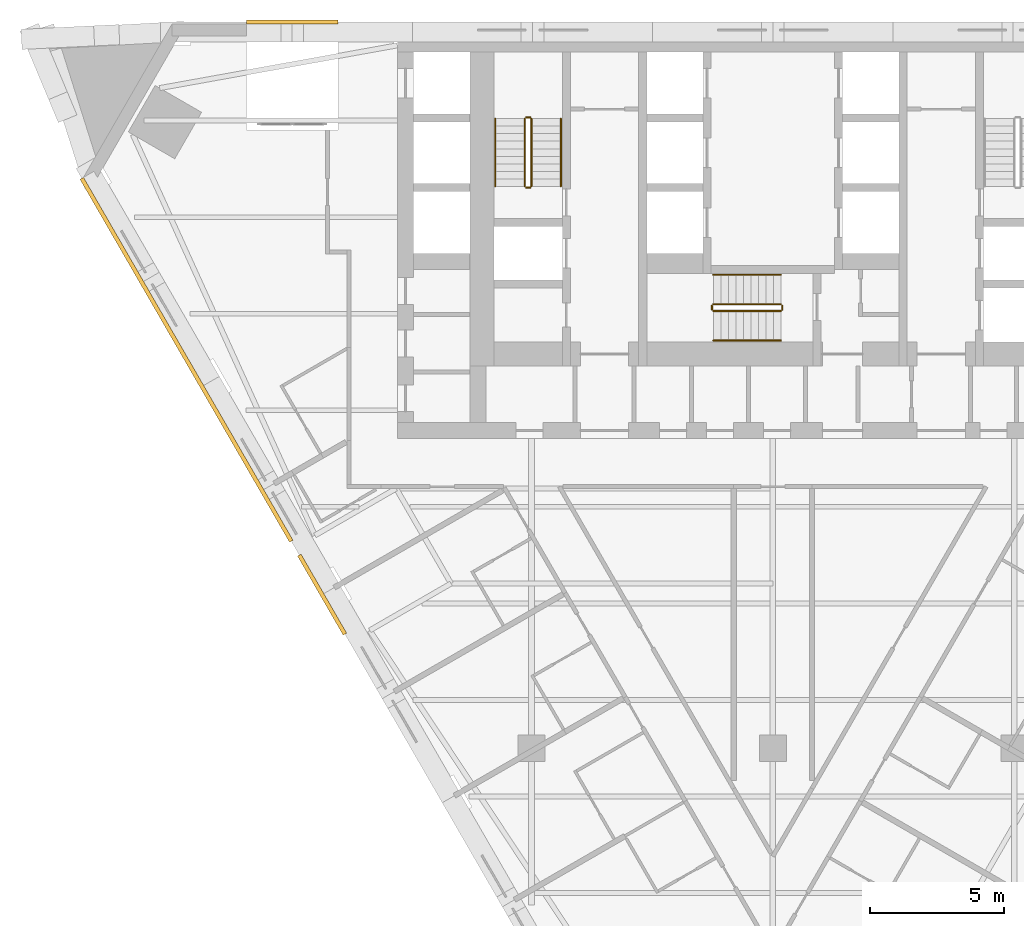
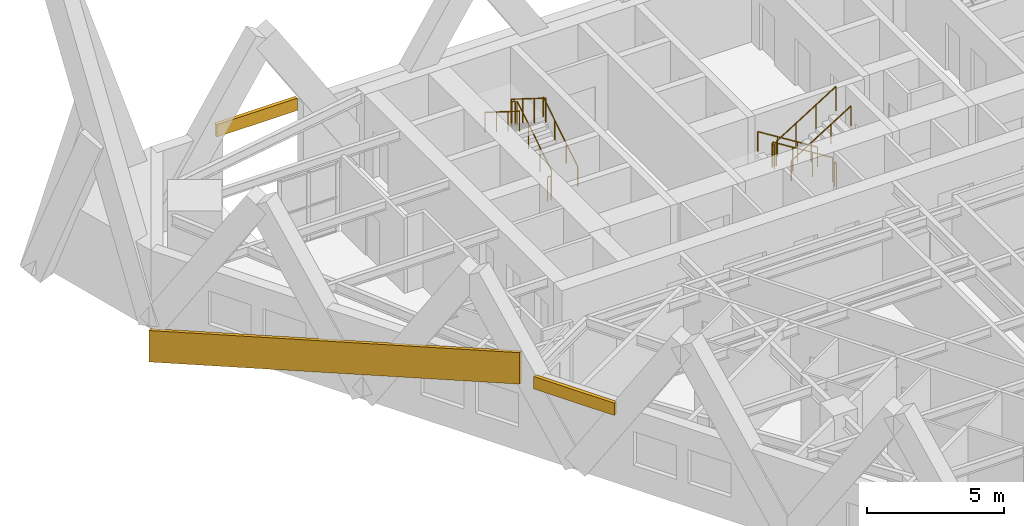
# One storey, part 10 of 11: 12 railings, 3 coverings.
"""IFC4 building model written with IfcOpenShell, lengths in metres."""

from ifc_helpers import new_model, si_unit, direction, frame, origin, origin_2d, place, context, subcontext, project, spatial, polyline, circle, outline, extrude, material, layer, layer_set, type_object, element, save


model = new_model("IFC4")

# Units and contexts
model_context = context("Model", 3, precision=1e-05, world=origin(), true_north=direction((0.0, 1.0)))
body_context = subcontext(model_context, "Body", "Model", "MODEL_VIEW")
ifc_project = project(units=[si_unit("LENGTHUNIT", "METRE"), si_unit("AREAUNIT", "SQUARE_METRE"), si_unit("VOLUMEUNIT", "CUBIC_METRE"), si_unit("PLANEANGLEUNIT", "RADIAN"), si_unit("MASSUNIT", "GRAM", prefix="KILO")], contexts=[model_context])

# Site, building, storey
site_placement = place(None, origin())
site = spatial("IfcSite", under=ifc_project, at=site_placement, CompositionType="ELEMENT")
building_placement = place(site_placement, origin())
building = spatial("IfcBuilding", under=site, at=building_placement, Name="Aloe Facet Convention Tower", CompositionType="ELEMENT")
storey_placement = place(building_placement, frame((0.0, 0.0, 49.0)))
storey = spatial("IfcBuildingStorey", under=building, at=storey_placement, Name="L10", CompositionType="ELEMENT", Elevation=49.0)

# Railings
ifc_material_1 = material(Name="Steel S355 balustrade", Category="steel")
railing_type_1 = type_object("IfcRailingType", Name="CR-RL-GUARD", PredefinedType="GUARDRAIL", material=ifc_material_1)
railing_1_placement = place(storey_placement, frame((71.0, 128.949951171875, 0.175048828125)))
element("IfcRailing", 1, at=railing_1_placement, inside=storey, type_object=railing_type_1, Name="L10 ST1 stair guard 1", PredefinedType="GUARDRAIL", context=body_context, shape_type="SweptSolid", body=[
    extrude(circle(Radius=0.02392578125, at=origin_2d()), frame((0.0, 0.0, 1.076171875), z_axis=(0.0, 0.848007534815, 0.529984170421), x_axis=(-1.0, 0.0, 0.0)), (0.0, 0.0, 1.0), 2.9716796875),
    extrude(circle(Radius=0.02099609375, at=origin_2d()), origin(), (0.0, 0.0, 1.0), 1.052001953125),
    extrude(circle(Radius=0.02099609375, at=origin_2d()), frame((0.0, 0.840087890625, 0.52490234375)), (0.0, 0.0, 1.0), 1.052001953125),
    extrude(circle(Radius=0.02099609375, at=origin_2d()), frame((0.0, 1.679931640625, 1.050048828125)), (0.0, 0.0, 1.0), 1.052001953125),
    extrude(circle(Radius=0.02099609375, at=origin_2d()), frame((0.0, 2.52001953125, 1.574951171875)), (0.0, 0.0, 1.0), 1.052001953125),
])
railing_2_placement = place(storey_placement, frame((70.949951171875, 131.52001953125, 1.75)))
element("IfcRailing", 2, at=railing_2_placement, inside=storey, type_object=railing_type_1, Name="L10 ST1 stair guard 2", PredefinedType="GUARDRAIL", context=body_context, shape_type="SweptSolid", body=[
    extrude(circle(Radius=0.02392578125, at=origin_2d()), frame((0.0, 0.0, 1.076171875), z_axis=(-1.0, 0.0, 0.0), x_axis=(0.0, -1.0, 0.0)), (0.0, 0.0, 1.0), 0.14990234375),
    extrude(circle(Radius=0.02099609375, at=origin_2d()), origin(), (0.0, 0.0, 1.0), 1.052001953125),
    extrude(circle(Radius=0.02099609375, at=origin_2d()), frame((-0.14990234375, 0.0, 0.0)), (0.0, 0.0, 1.0), 1.052001953125),
])
railing_3_placement = place(storey_placement, frame((70.75, 131.469970703125, 1.925048828125)))
element("IfcRailing", 3, at=railing_3_placement, inside=storey, type_object=railing_type_1, Name="L10 ST1 stair guard 3", PredefinedType="GUARDRAIL", context=body_context, shape_type="SweptSolid", body=[
    extrude(circle(Radius=0.02392578125, at=origin_2d()), frame((0.0, 0.0, 1.076171875), z_axis=(0.0, -0.848007534815, 0.529984170421), x_axis=(1.0, 0.0, 0.0)), (0.0, 0.0, 1.0), 2.9716796875),
    extrude(circle(Radius=0.02099609375, at=origin_2d()), origin(), (0.0, 0.0, 1.0), 1.052001953125),
    extrude(circle(Radius=0.02099609375, at=origin_2d()), frame((0.0, -0.840087890625, 0.52490234375)), (0.0, 0.0, 1.0), 1.052001953125),
    extrude(circle(Radius=0.02099609375, at=origin_2d()), frame((0.0, -1.679931640625, 1.050048828125)), (0.0, 0.0, 1.0), 1.052001953125),
    extrude(circle(Radius=0.02099609375, at=origin_2d()), frame((0.0, -2.52001953125, 1.574951171875)), (0.0, 0.0, 1.0), 1.052001953125),
])
railing_4_placement = place(storey_placement, frame((70.949951171875, 128.89990234375, 0.0)))
element("IfcRailing", 4, at=railing_4_placement, inside=storey, type_object=railing_type_1, Name="L10 ST1 stair guard 4", PredefinedType="GUARDRAIL", context=body_context, shape_type="SweptSolid", body=[
    extrude(circle(Radius=0.02392578125, at=origin_2d()), frame((0.0, 0.0, 1.076171875), z_axis=(-1.0, 0.0, 0.0), x_axis=(0.0, -1.0, 0.0)), (0.0, 0.0, 1.0), 0.14990234375),
    extrude(circle(Radius=0.02099609375, at=origin_2d()), origin(), (0.0, 0.0, 1.0), 1.052001953125),
    extrude(circle(Radius=0.02099609375, at=origin_2d()), frame((-0.14990234375, 0.0, 0.0)), (0.0, 0.0, 1.0), 1.052001953125),
])
railing_5_placement = place(storey_placement, frame((80.300048828125, 124.550048828125, 0.175048828125)))
element("IfcRailing", 5, at=railing_5_placement, inside=storey, type_object=railing_type_1, Name="L10 ST3 stair guard 1", PredefinedType="GUARDRAIL", context=body_context, shape_type="SweptSolid", body=[
    extrude(circle(Radius=0.02392578125, at=origin_2d()), frame((0.0, 0.0, 1.076171875), z_axis=(-0.848007534815, 0.0, 0.529984170421), x_axis=(0.0, -1.0, 0.0)), (0.0, 0.0, 1.0), 2.9716796875),
    extrude(circle(Radius=0.02099609375, at=origin_2d()), origin(), (0.0, 0.0, 1.0), 1.052001953125),
    extrude(circle(Radius=0.02099609375, at=origin_2d()), frame((-0.840087890625, 0.0, 0.52490234375)), (0.0, 0.0, 1.0), 1.052001953125),
    extrude(circle(Radius=0.02099609375, at=origin_2d()), frame((-1.679931640625, 0.0, 1.050048828125)), (0.0, 0.0, 1.0), 1.052001953125),
    extrude(circle(Radius=0.02099609375, at=origin_2d()), frame((-2.52001953125, 0.0, 1.574951171875)), (0.0, 0.0, 1.0), 1.052001953125),
])
railing_6_placement = place(storey_placement, frame((77.72998046875, 124.5, 1.75)))
element("IfcRailing", 6, at=railing_6_placement, inside=storey, type_object=railing_type_1, Name="L10 ST3 stair guard 2", PredefinedType="GUARDRAIL", context=body_context, shape_type="SweptSolid", body=[
    extrude(circle(Radius=0.02392578125, at=origin_2d()), frame((0.0, 0.0, 1.076171875), z_axis=(0.0, -1.0, 0.0), x_axis=(1.0, 0.0, 0.0)), (0.0, 0.0, 1.0), 0.14990234375),
    extrude(circle(Radius=0.02099609375, at=origin_2d()), origin(), (0.0, 0.0, 1.0), 1.052001953125),
    extrude(circle(Radius=0.02099609375, at=origin_2d()), frame((0.0, -0.14990234375, 0.0)), (0.0, 0.0, 1.0), 1.052001953125),
])
railing_7_placement = place(storey_placement, frame((77.780029296875, 124.300048828125, 1.925048828125)))
element("IfcRailing", 7, at=railing_7_placement, inside=storey, type_object=railing_type_1, Name="L10 ST3 stair guard 3", PredefinedType="GUARDRAIL", context=body_context, shape_type="SweptSolid", body=[
    extrude(circle(Radius=0.02392578125, at=origin_2d()), frame((0.0, 0.0, 1.076171875), z_axis=(0.848007534815, 0.0, 0.529984170421), x_axis=(0.0, 1.0, 0.0)), (0.0, 0.0, 1.0), 2.9716796875),
    extrude(circle(Radius=0.02099609375, at=origin_2d()), origin(), (0.0, 0.0, 1.0), 1.052001953125),
    extrude(circle(Radius=0.02099609375, at=origin_2d()), frame((0.840087890625, 0.0, 0.52490234375)), (0.0, 0.0, 1.0), 1.052001953125),
    extrude(circle(Radius=0.02099609375, at=origin_2d()), frame((1.679931640625, 0.0, 1.050048828125)), (0.0, 0.0, 1.0), 1.052001953125),
    extrude(circle(Radius=0.02099609375, at=origin_2d()), frame((2.52001953125, 0.0, 1.574951171875)), (0.0, 0.0, 1.0), 1.052001953125),
])
railing_8_placement = place(storey_placement, frame((80.35009765625, 124.5, 0.0)))
element("IfcRailing", 8, at=railing_8_placement, inside=storey, type_object=railing_type_1, Name="L10 ST3 stair guard 4", PredefinedType="GUARDRAIL", context=body_context, shape_type="SweptSolid", body=[
    extrude(circle(Radius=0.02392578125, at=origin_2d()), frame((0.0, 0.0, 1.076171875), z_axis=(0.0, -1.0, 0.0), x_axis=(1.0, 0.0, 0.0)), (0.0, 0.0, 1.0), 0.14990234375),
    extrude(circle(Radius=0.02099609375, at=origin_2d()), origin(), (0.0, 0.0, 1.0), 1.052001953125),
    extrude(circle(Radius=0.02099609375, at=origin_2d()), frame((0.0, -0.14990234375, 0.0)), (0.0, 0.0, 1.0), 1.052001953125),
])
ifc_material_2 = material(Name="Steel S355 handrail", Category="steel")
railing_type_2 = type_object("IfcRailingType", Name="CR-RL-HAND", PredefinedType="HANDRAIL", material=ifc_material_2)
railing_9_placement = place(storey_placement, frame((72.10009765625, 128.949951171875, 0.175048828125)))
element("IfcRailing", 9, at=railing_9_placement, inside=storey, type_object=railing_type_2, Name="L10 ST1 stair handrail 1", PredefinedType="HANDRAIL", context=body_context, shape_type="SweptSolid", body=[
    extrude(circle(Radius=0.02392578125, at=origin_2d()), frame((0.0, 0.0, 0.8759765625), z_axis=(0.0, 0.848007534815, 0.529984170421), x_axis=(-1.0, 0.0, 0.0)), (0.0, 0.0, 1.0), 2.9716796875),
    extrude(circle(Radius=0.02099609375, at=origin_2d()), origin(), (0.0, 0.0, 1.0), 0.851806640625),
    extrude(circle(Radius=0.02099609375, at=origin_2d()), frame((0.0, 0.840087890625, 0.52490234375)), (0.0, 0.0, 1.0), 0.851806640625),
    extrude(circle(Radius=0.02099609375, at=origin_2d()), frame((0.0, 1.679931640625, 1.050048828125)), (0.0, 0.0, 1.0), 0.851806640625),
    extrude(circle(Radius=0.02099609375, at=origin_2d()), frame((0.0, 2.52001953125, 1.574951171875)), (0.0, 0.0, 1.0), 0.851806640625),
])
railing_10_placement = place(storey_placement, frame((69.64990234375, 131.469970703125, 1.925048828125)))
element("IfcRailing", 10, at=railing_10_placement, inside=storey, type_object=railing_type_2, Name="L10 ST1 stair handrail 2", PredefinedType="HANDRAIL", context=body_context, shape_type="SweptSolid", body=[
    extrude(circle(Radius=0.02392578125, at=origin_2d()), frame((0.0, 0.0, 0.8759765625), z_axis=(0.0, -0.848007534815, 0.529984170421), x_axis=(1.0, 0.0, 0.0)), (0.0, 0.0, 1.0), 2.9716796875),
    extrude(circle(Radius=0.02099609375, at=origin_2d()), origin(), (0.0, 0.0, 1.0), 0.851806640625),
    extrude(circle(Radius=0.02099609375, at=origin_2d()), frame((0.0, -0.840087890625, 0.52490234375)), (0.0, 0.0, 1.0), 0.851806640625),
    extrude(circle(Radius=0.02099609375, at=origin_2d()), frame((0.0, -1.679931640625, 1.050048828125)), (0.0, 0.0, 1.0), 0.851806640625),
    extrude(circle(Radius=0.02099609375, at=origin_2d()), frame((0.0, -2.52001953125, 1.574951171875)), (0.0, 0.0, 1.0), 0.851806640625),
])
railing_11_placement = place(storey_placement, frame((80.300048828125, 125.64990234375, 0.175048828125)))
element("IfcRailing", 11, at=railing_11_placement, inside=storey, type_object=railing_type_2, Name="L10 ST3 stair handrail 1", PredefinedType="HANDRAIL", context=body_context, shape_type="SweptSolid", body=[
    extrude(circle(Radius=0.02392578125, at=origin_2d()), frame((0.0, 0.0, 0.8759765625), z_axis=(-0.848007534815, 0.0, 0.529984170421), x_axis=(0.0, -1.0, 0.0)), (0.0, 0.0, 1.0), 2.9716796875),
    extrude(circle(Radius=0.02099609375, at=origin_2d()), origin(), (0.0, 0.0, 1.0), 0.851806640625),
    extrude(circle(Radius=0.02099609375, at=origin_2d()), frame((-0.840087890625, 0.0, 0.52490234375)), (0.0, 0.0, 1.0), 0.851806640625),
    extrude(circle(Radius=0.02099609375, at=origin_2d()), frame((-1.679931640625, 0.0, 1.050048828125)), (0.0, 0.0, 1.0), 0.851806640625),
    extrude(circle(Radius=0.02099609375, at=origin_2d()), frame((-2.52001953125, 0.0, 1.574951171875)), (0.0, 0.0, 1.0), 0.851806640625),
])
railing_12_placement = place(storey_placement, frame((77.780029296875, 123.199951171875, 1.925048828125)))
element("IfcRailing", 12, at=railing_12_placement, inside=storey, type_object=railing_type_2, Name="L10 ST3 stair handrail 2", PredefinedType="HANDRAIL", context=body_context, shape_type="SweptSolid", body=[
    extrude(circle(Radius=0.02392578125, at=origin_2d()), frame((0.0, 0.0, 0.8759765625), z_axis=(0.848007534815, 0.0, 0.529984170421), x_axis=(0.0, 1.0, 0.0)), (0.0, 0.0, 1.0), 2.9716796875),
    extrude(circle(Radius=0.02099609375, at=origin_2d()), origin(), (0.0, 0.0, 1.0), 0.851806640625),
    extrude(circle(Radius=0.02099609375, at=origin_2d()), frame((0.840087890625, 0.0, 0.52490234375)), (0.0, 0.0, 1.0), 0.851806640625),
    extrude(circle(Radius=0.02099609375, at=origin_2d()), frame((1.679931640625, 0.0, 1.050048828125)), (0.0, 0.0, 1.0), 0.851806640625),
    extrude(circle(Radius=0.02099609375, at=origin_2d()), frame((2.52001953125, 0.0, 1.574951171875)), (0.0, 0.0, 1.0), 0.851806640625),
])

# Coverings
ifc_material_3 = material(Name="Bronze oxide fascia sheet")
ifc_layer = layer(ifc_material_3, 0.14990234375)
ifc_layer_set = layer_set([ifc_layer], Name="EV-FASCIA-TERR")
covering_type = type_object("IfcCoveringType", Name="EV-FASCIA-TERR", PredefinedType="CLADDING", material=ifc_layer_set)
covering_1_placement = place(storey_placement, frame((0.0, 0.0, 2.800048828125)))
element("IfcCovering", 13, at=covering_1_placement, inside=storey, type_object=covering_type, Name="Terrace fascia T01 head", PredefinedType="CLADDING", context=body_context, shape_type="SweptSolid", body=[
    extrude(outline(polyline([(63.780029296875, 135.14990234375), (60.3798828125, 135.14990234375), (60.3798828125, 135.0), (63.780029296875, 135.0), (63.780029296875, 135.14990234375)])), origin(), (0.0, 0.0, 1.0), 0.550048828125),
])
covering_2_placement = place(storey_placement, frame((0.0, 0.0, 2.949951171875)))
element("IfcCovering", 14, at=covering_2_placement, inside=storey, type_object=covering_type, Name="Terrace fascia T02 sill", PredefinedType="CLADDING", context=body_context, shape_type="SweptSolid", body=[
    extrude(outline(polyline([(62.280029296875, 115.162353515625), (63.97998046875, 112.2177734375), (64.110107421875, 112.292724609375), (62.409912109375, 115.2373046875), (62.280029296875, 115.162353515625)])), origin(), (0.0, 0.0, 1.0), 0.550048828125),
])
covering_3_placement = place(storey_placement, frame((54.170166015625, 129.209228515625, -1.53125), z_axis=(-0.866030978651, -0.499990343923, 0.0), x_axis=(0.480603152185, -0.832450512872, 0.275765758803)))
element("IfcCovering", 15, at=covering_3_placement, inside=storey, type_object=covering_type, Name="Spiral ribbon zone 1 part 5", PredefinedType="CLADDING", context=body_context, shape_type="SweptSolid", body=[
    extrude(outline(polyline([(0.0, 0.0), (16.250027528152625, -8.881784197001252e-16), (16.636139985852022, 1.3458556191943467), (0.3861124576993998, 1.3458556191943478), (0.0, 0.0)])), origin(), (0.0, 0.0, -1.0), 0.14990234375),
])

save(model, "model.ifc")
